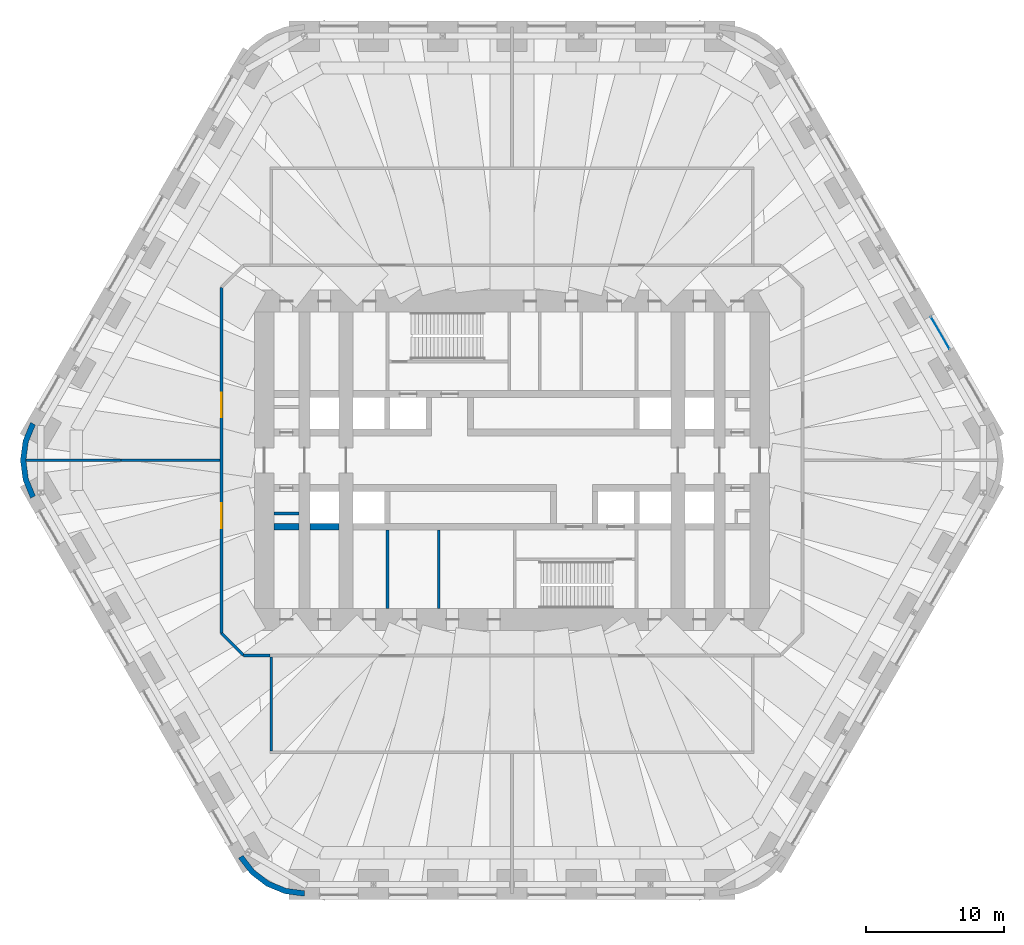
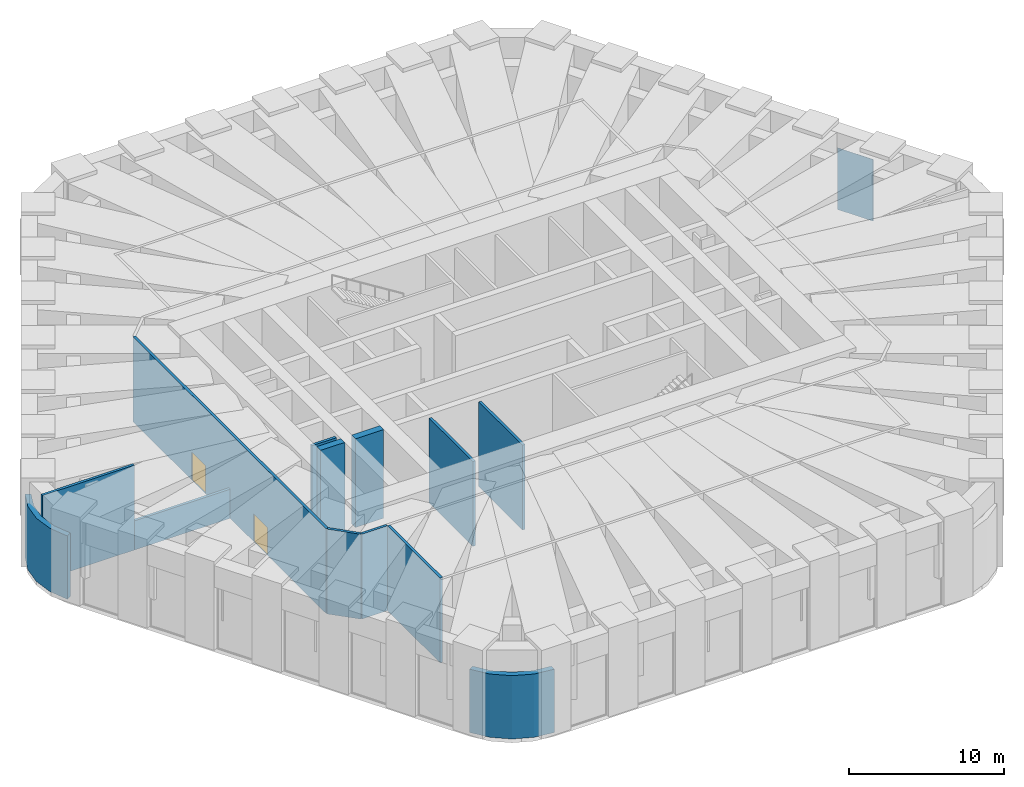
# One storey, part 12 of 16: 13 walls, 2 doors, 1 plate, 2 openings, 1 element without a shape of its own.
"""IFC4 building model written with IfcOpenShell, lengths in metres."""

from ifc_helpers import new_model, si_unit, direction, frame, frame_2d, origin, origin_2d, place, context, subcontext, project, spatial, polyline, rectangle, outline, extrude, material, layer, layer_set, type_object, element, fill, aggregate, save


model = new_model("IFC4")

# Units and contexts
model_context = context("Model", 3, precision=1e-05, world=origin(), true_north=direction((0.0, 1.0)))
body_context = subcontext(model_context, "Body", "Model", "MODEL_VIEW")
ifc_project = project(units=[si_unit("LENGTHUNIT", "METRE"), si_unit("AREAUNIT", "SQUARE_METRE"), si_unit("VOLUMEUNIT", "CUBIC_METRE"), si_unit("PLANEANGLEUNIT", "RADIAN"), si_unit("MASSUNIT", "GRAM", prefix="KILO")], contexts=[model_context])

# Site, building, storey
site_placement = place(None, origin())
site = spatial("IfcSite", under=ifc_project, at=site_placement, CompositionType="ELEMENT")
building_placement = place(site_placement, origin())
building = spatial("IfcBuilding", under=site, at=building_placement, Name="Tarfa Lantern Tower", CompositionType="ELEMENT")
storey_placement = place(building_placement, frame((0.0, 0.0, 203.5)))
storey = spatial("IfcBuildingStorey", under=building, at=storey_placement, Name="L46", CompositionType="ELEMENT", Elevation=203.5)

# Curtain wall, plate
ifc_material_1 = material(Name="Aluminium framed curtain wall", Category="aluminium")
curtain_wall_type = type_object("IfcCurtainWallType", Name="CW6 LOUVRED SCREEN WALL 5000", PredefinedType="USERDEFINED", material=ifc_material_1)
curtain_wall_placement = place(storey_placement, origin())
curtain_wall = element("IfcCurtainWall", 1, at=curtain_wall_placement, inside=storey, type_object=curtain_wall_type, Name="CW6 NE L46", ObjectType="CURTAIN WALL", PredefinedType="USERDEFINED")
ifc_material_2 = material(Name="Aluminium louvre blades", Category="aluminium")
ifc_layer_1 = layer(ifc_material_2, 0.028076171875)
ifc_layer_set_1 = layer_set([ifc_layer_1], Name="CWP2 LOUVRE PANEL")
plate_type = type_object("IfcPlateType", Name="CWP2 LOUVRE PANEL", PredefinedType="CURTAIN_PANEL", material=ifc_layer_set_1)
plate_placement = place(storey_placement, frame((30.946044921875, 9.199951171875, 0.06494140625), z_axis=(0.0, 0.0, 1.0), x_axis=(-0.5, 0.866025403784, 0.0)))
plate = element("IfcPlate", 2, at=plate_placement, type_object=plate_type, Name="CW6 panel 1.1", PredefinedType="CURTAIN_PANEL", context=body_context, shape_type="SweptSolid", body=[
    extrude(rectangle(XDim=2.673583984375, YDim=0.028076171875, at=origin_2d()), origin(), (0.0, 0.0, 1.0), 4.8701171875),
])
aggregate(curtain_wall, [plate])

# Walls
ifc_material_3 = material(Name="Limestone cladding on blockwork", Category="masonry")
ifc_layer_2 = layer(ifc_material_3, 0.39990234375)
ifc_layer_set_2 = layer_set([ifc_layer_2], Name="EW2 CURVED STONE CORNER 400")
wall_type_1 = type_object("IfcWallType", Name="EW2 CURVED STONE CORNER 400", PredefinedType="SOLIDWALL", material=ifc_layer_set_2)
wall_1_placement = place(storey_placement, origin())
element("IfcWall", 3, at=wall_1_placement, inside=storey, type_object=wall_type_1, Name="Stone corner NW-SW", PredefinedType="SOLIDWALL", context=body_context, shape_type="SweptSolid", body=[
    extrude(outline(polyline([(-34.785400390625, 2.75), (-35.334716796875, 1.423583984375), (-35.522216796875, 0.0), (-35.334716796875, -1.423583984375), (-34.785400390625, -2.75), (-34.43896484375, -2.550048828125), (-34.948486328125, -1.320068359375), (-35.122314453125, 0.0), (-34.948486328125, 1.320068359375), (-34.43896484375, 2.550048828125), (-34.785400390625, 2.75)])), origin(), (0.0, 0.0, 1.0), 5.0),
])
wall_2_placement = place(storey_placement, origin())
element("IfcWall", 4, at=wall_2_placement, inside=storey, type_object=wall_type_1, Name="Stone corner SW-S", PredefinedType="SOLIDWALL", context=body_context, shape_type="SweptSolid", body=[
    extrude(outline(polyline([(-19.774169921875, -28.75), (-18.900146484375, -29.88916015625), (-17.760986328125, -30.76318359375), (-16.4345703125, -31.3125), (-15.010986328125, -31.5), (-15.010986328125, -31.10009765625), (-16.3310546875, -30.92626953125), (-17.56103515625, -30.416748046875), (-18.617431640625, -29.606201171875), (-19.427734375, -28.550048828125), (-19.774169921875, -28.75)])), origin(), (0.0, 0.0, 1.0), 5.0),
])
ifc_material_4 = material(Name="Concrete blockwork", Category="masonry")
ifc_layer_3 = layer(ifc_material_4, 0.199951171875)
ifc_layer_set_3 = layer_set([ifc_layer_3], Name="IW1 BLOCKWORK PARTITION 200 EI 120")
wall_type_2 = type_object("IfcWallType", Name="IW1 BLOCKWORK PARTITION 200 EI 120", PredefinedType="PARTITIONING", material=ifc_layer_set_3)
for number, where, z_axis, x_axis, name in (
    (5, (-9.0, -5.050048828125, 0.0), (0.0, 0.0, 1.0), (0.0, -1.0, 0.0), "Core partition"),
    (6, (-5.300048828125, -5.050048828125, 0.0), (0.0, 0.0, 1.0), (0.0, -1.0, 0.0), "Core partition"),
):
    element("IfcWall", number, at=place(storey_placement, frame(where, z_axis=z_axis, x_axis=x_axis)), inside=storey, type_object=wall_type_2, Name=name, PredefinedType="PARTITIONING", context=body_context, shape_type="SweptSolid", body=[
        extrude(rectangle(XDim=5.64990234375, YDim=0.199951171875, at=frame_2d((2.824951171875, 0.0))), origin(), (0.0, 0.0, 1.0), 6.699951171875),
    ])
wall_3_placement = place(storey_placement, frame((-15.39990234375, -3.85009765625, 0.0), z_axis=(0.0, 0.0, 1.0), x_axis=(-1.0, 0.0, 0.0)))
element("IfcWall", 7, at=wall_3_placement, inside=storey, type_object=wall_type_2, Name="Core partition", PredefinedType="PARTITIONING", context=body_context, shape_type="SweptSolid", body=[
    extrude(rectangle(XDim=1.800048828125, YDim=0.199951171875, at=frame_2d((0.89990234375, 0.0))), origin(), (0.0, 0.0, 1.0), 6.699951171875),
])
wall_4_placement = place(storey_placement, frame((-17.5, -14.10009765625, 0.0), z_axis=(0.0, 0.0, 1.0), x_axis=(-1.0, 0.0, 0.0)))
element("IfcWall", 8, at=wall_4_placement, inside=storey, type_object=wall_type_2, Name="Fire-rated partition", PredefinedType="PARTITIONING", context=body_context, shape_type="SweptSolid", body=[
    extrude(rectangle(XDim=1.89990234375, YDim=0.199951171875, at=frame_2d((0.949951171875, 0.0))), origin(), (0.0, 0.0, 1.0), 6.699951171875),
])
wall_5_placement = place(storey_placement, frame((-19.39990234375, -14.10009765625, 0.0), z_axis=(0.0, 0.0, 1.0), x_axis=(-0.707106781187, 0.707106781187, 0.0)))
element("IfcWall", 9, at=wall_5_placement, inside=storey, type_object=wall_type_2, Name="Fire-rated partition", PredefinedType="PARTITIONING", context=body_context, shape_type="SweptSolid", body=[
    extrude(rectangle(XDim=2.262939453125, YDim=0.199951171875, at=frame_2d((1.13134765625, 0.0))), origin(), (0.0, 0.0, 1.0), 6.699951171875),
])

# Wall, openings, doors
wall_6_placement = place(storey_placement, frame((-21.0, -12.5, 0.0), z_axis=(0.0, 0.0, 1.0), x_axis=(0.0, 1.0, 0.0)))
wall_6 = element("IfcWall", 10, at=wall_6_placement, inside=storey, type_object=wall_type_2, Name="Fire-rated partition", PredefinedType="PARTITIONING", context=body_context, shape_type="SweptSolid", body=[
    extrude(rectangle(XDim=25.0, YDim=0.199951171875, at=frame_2d((12.5, 0.0))), origin(), (0.0, 0.0, 1.0), 6.699951171875),
])
opening_1_placement = place(wall_6_placement, frame((15.60009765625, 0.0, 0.0)))
opening_1 = element("IfcOpeningElement", 11, at=opening_1_placement, cuts=wall_6, Name="Opening D34", PredefinedType="OPENING", context=body_context, shape_type="SweptSolid", body=[
    extrude(rectangle(XDim=1.800048828125, YDim=2.199951171875, at=frame_2d((0.89990234375, 1.10009765625))), frame((0.0, 0.10986328125, 0.0), z_axis=(0.0, -1.0, 0.0), x_axis=(1.0, 0.0, 0.0)), (0.0, 0.0, 1.0), 0.219970703125),
])
opening_2_placement = place(wall_6_placement, frame((7.60009765625, 0.0, 0.0)))
opening_2 = element("IfcOpeningElement", 12, at=opening_2_placement, cuts=wall_6, Name="Opening D36", PredefinedType="OPENING", context=body_context, shape_type="SweptSolid", body=[
    extrude(rectangle(XDim=1.800048828125, YDim=2.199951171875, at=frame_2d((0.89990234375, 1.10009765625))), frame((0.0, 0.10986328125, 0.0), z_axis=(0.0, -1.0, 0.0), x_axis=(1.0, 0.0, 0.0)), (0.0, 0.0, 1.0), 0.219970703125),
])
ifc_material_5 = material(Name="Steel fire door", Category="steel")
door_type = type_object("IfcDoorType", Name="DF11 FIRE DOOR 1800x2200", OperationType="DOUBLE_DOOR_SINGLE_SWING", PredefinedType="DOOR", material=ifc_material_5)
door_1_placement = place(opening_1_placement, origin())
door_1 = element("IfcDoor", 13, at=door_1_placement, inside=storey, type_object=door_type, Name="Air handling plant room door", OperationType="DOUBLE_DOOR_SINGLE_SWING", OverallHeight=2.199951171875, OverallWidth=1.800048828125, PredefinedType="DOOR", context=body_context, shape_type="SweptSolid", body=[
    extrude(rectangle(XDim=1.800048828125, YDim=2.199951171875, at=frame_2d((0.89990234375, 1.10009765625))), frame((0.0, 0.02490234375, 0.0), z_axis=(0.0, -1.0, 0.0), x_axis=(1.0, 0.0, 0.0)), (0.0, 0.0, 1.0), 0.050048828125),
])
fill(opening_1, door_1)
door_2_placement = place(opening_2_placement, origin())
door_2 = element("IfcDoor", 14, at=door_2_placement, inside=storey, type_object=door_type, Name="Fire pump plant room door", OperationType="DOUBLE_DOOR_SINGLE_SWING", OverallHeight=2.199951171875, OverallWidth=1.800048828125, PredefinedType="DOOR", context=body_context, shape_type="SweptSolid", body=[
    extrude(rectangle(XDim=1.800048828125, YDim=2.199951171875, at=frame_2d((0.89990234375, 1.10009765625))), frame((0.0, 0.02490234375, 0.0), z_axis=(0.0, -1.0, 0.0), x_axis=(1.0, 0.0, 0.0)), (0.0, 0.0, 1.0), 0.050048828125),
])
fill(opening_2, door_2)

# Walls
wall_7_placement = place(storey_placement, frame((-21.10009765625, 0.0, 0.0), z_axis=(0.0, 0.0, 1.0), x_axis=(-1.0, 0.0, 0.0)))
element("IfcWall", 15, at=wall_7_placement, inside=storey, type_object=wall_type_2, Name="Fire-rated partition", PredefinedType="PARTITIONING", context=body_context, shape_type="SweptSolid", body=[
    extrude(rectangle(XDim=7.1484375, YDim=0.199951171875, at=frame_2d((3.57421875, 0.0))), origin(), (0.0, 0.0, 1.0), 2.300048828125),
])
wall_8_placement = place(storey_placement, frame((-28.24853515625, 0.0, 0.0), z_axis=(0.0, 0.0, 1.0), x_axis=(-1.0, 0.0, 0.0)))
element("IfcWall", 16, at=wall_8_placement, inside=storey, type_object=wall_type_2, Name="Fire-rated partition", PredefinedType="PARTITIONING", context=body_context, shape_type="SweptSolid", body=[
    extrude(rectangle(XDim=6.860595703125, YDim=0.199951171875, at=frame_2d((3.43017578125, 0.0))), origin(), (0.0, 0.0, 1.0), 6.699951171875),
])
ifc_material_6 = material(Name="Gypsum board on steel studs", Category="steel")
ifc_layer_4 = layer(ifc_material_6, 0.2099609375)
ifc_layer_set_4 = layer_set([ifc_layer_4], Name="IW2 ACOUSTIC PARTITION 200")
wall_type_3 = type_object("IfcWallType", Name="IW2 ACOUSTIC PARTITION 200", PredefinedType="PARTITIONING", material=ifc_layer_set_4)
wall_9_placement = place(storey_placement, frame((-17.39990234375, -14.199951171875, 0.0), z_axis=(0.0, 0.0, 1.0), x_axis=(0.0, -1.0, 0.0)))
element("IfcWall", 17, at=wall_9_placement, inside=storey, type_object=wall_type_3, Name="Partition", PredefinedType="PARTITIONING", context=body_context, shape_type="SweptSolid", body=[
    extrude(rectangle(XDim=6.800048828125, YDim=0.199951171875, at=frame_2d((3.39990234375, 0.0))), origin(), (0.0, 0.0, 1.0), 6.699951171875),
])
ifc_material_7 = material(Name="Concrete C80/95", Category="concrete")
ifc_layer_5 = layer(ifc_material_7, 0.5)
ifc_layer_set_5 = layer_set([ifc_layer_5], Name="SW5 CORE WALL 500")
wall_type_4 = type_object("IfcWallType", Name="SW5 CORE WALL 500", PredefinedType="SHEAR", material=ifc_layer_set_5)
wall_10_placement = place(storey_placement, frame((-12.5, -4.800048828125, 0.0), z_axis=(0.0, 0.0, 1.0), x_axis=(-1.0, 0.0, 0.0)))
element("IfcWall", 18, at=wall_10_placement, inside=storey, type_object=wall_type_4, Name="Core wall rear S", PredefinedType="SHEAR", context=body_context, shape_type="SweptSolid", body=[
    extrude(rectangle(XDim=2.10009765625, YDim=0.5, at=frame_2d((1.050048828125, 0.0))), origin(), (0.0, 0.0, 1.0), 7.0),
])
wall_11_placement = place(storey_placement, frame((-15.39990234375, -4.800048828125, 0.0), z_axis=(0.0, 0.0, 1.0), x_axis=(-1.0, 0.0, 0.0)))
element("IfcWall", 19, at=wall_11_placement, inside=storey, type_object=wall_type_4, Name="Core wall rear S", PredefinedType="SHEAR", context=body_context, shape_type="SweptSolid", body=[
    extrude(rectangle(XDim=1.800048828125, YDim=0.5, at=frame_2d((0.89990234375, 0.0))), origin(), (0.0, 0.0, 1.0), 7.0),
])

save(model, "model.ifc")
